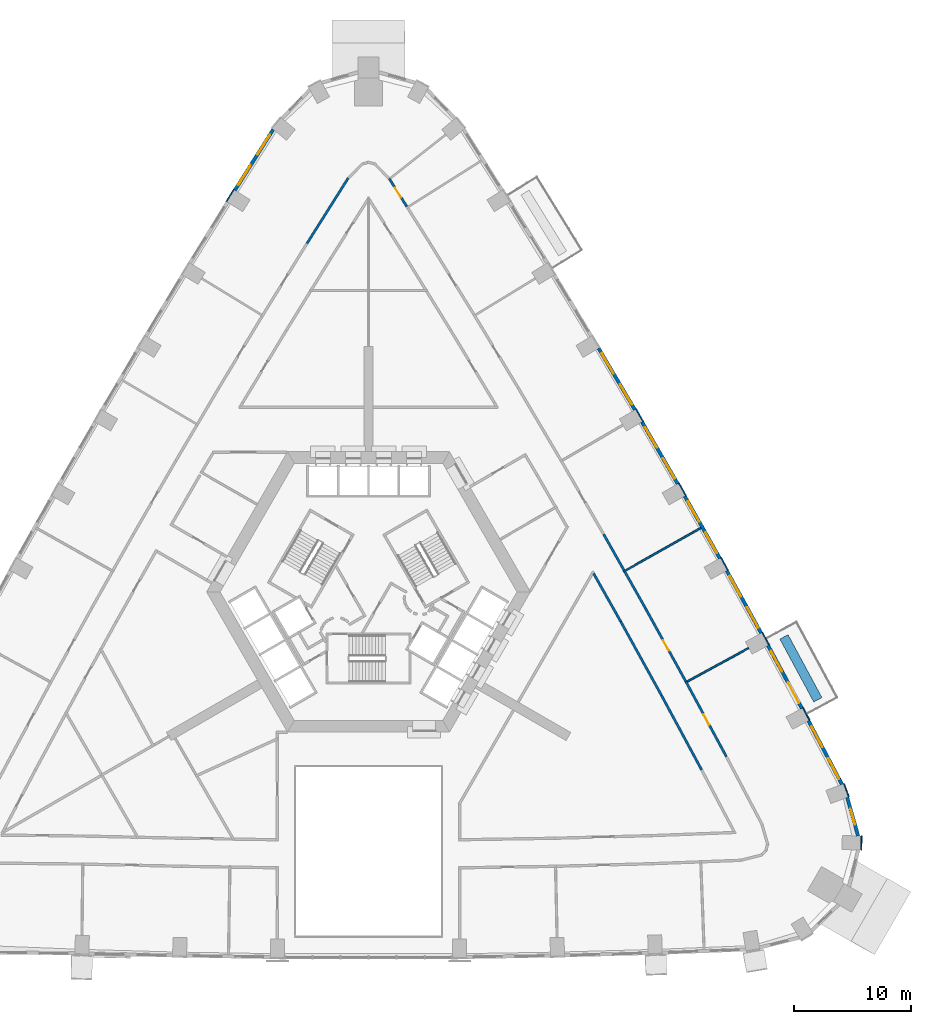
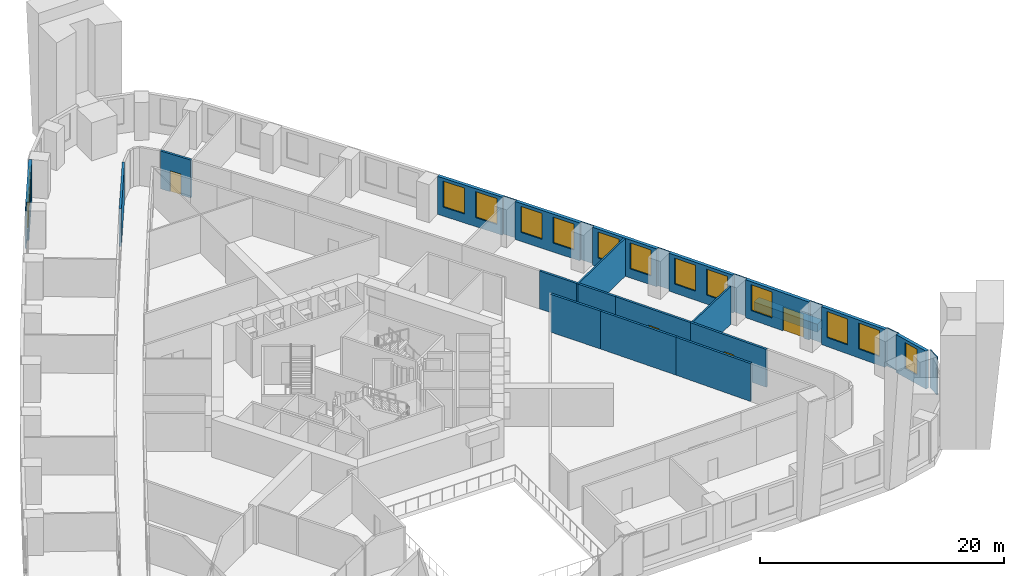
# One storey, part 11 of 16: 28 walls, 14 windows, 4 doors, 18 openings.
"""IFC4 building model written with IfcOpenShell, lengths in metres."""

import ifcopenshell
import ifcopenshell.guid

model = None  # the IFC model being written
_history = None  # IfcOwnerHistory: only IFC2X3 demands one
_inside = {}  # id of a spatial element -> (the spatial element, [elements in it])
_under = {}  # id of a project, library or spatial element -> (it, [spatial elements below it])
_declared = {}  # id of a project -> (the project, [libraries it declares])
_typed = {}  # id of a type object -> (the type object, [elements of that type])
_made_of = {}  # id of a material, layer set ... -> (it, [elements and type objects made of it])


def new_model(schema):
    """Start an empty IFC model of exactly this schema.

    Asked for "IFC4X3", IfcOpenShell would pick the latest addendum, in which some entities
    have other attributes; the version numbers below select the first issue.
    IFC2X3 requires an IfcOwnerHistory on every rooted entity: one is made here for all.
    """
    global model, _history
    if schema == "IFC4X3":
        model = ifcopenshell.file(schema_version=(4, 3, 0, 0))
    else:
        model = ifcopenshell.file(schema=schema)
    _inside.clear()
    _under.clear()
    _declared.clear()
    _typed.clear()
    _made_of.clear()
    _history = None
    if model.schema == "IFC2X3":
        org = make("IfcOrganization", Name="unknown")
        user = make(
            "IfcPersonAndOrganization",
            ThePerson=make("IfcPerson", FamilyName="unknown"),
            TheOrganization=org,
        )
        app = make(
            "IfcApplication",
            ApplicationDeveloper=org,
            Version="unknown",
            ApplicationFullName="unknown",
            ApplicationIdentifier="unknown",
        )
        _history = make(
            "IfcOwnerHistory",
            OwningUser=user,
            OwningApplication=app,
            ChangeAction="ADDED",
            CreationDate=0,
        )
    return model


def make(cls, **values):
    """One entity of the class cls with the attributes given. An attribute that is None is left unset."""
    return model.create_entity(
        cls, **{name: value for name, value in values.items() if value is not None}
    )


def rooted(cls, **values):
    """An entity with a GlobalId (a new one), such as an element, a storey or a relation."""
    return make(cls, GlobalId=ifcopenshell.guid.new(), OwnerHistory=_history, **values)


def si_unit(unit_type, name, prefix=None):
    """IfcSIUnit, for example si_unit("LENGTHUNIT", "METRE", prefix="MILLI")."""
    return make("IfcSIUnit", UnitType=unit_type, Prefix=prefix, Name=name)


def assignment(units):
    """IfcUnitAssignment: the units of a project."""
    return None if units is None else make("IfcUnitAssignment", Units=units)


def point(xyz):
    """IfcCartesianPoint."""
    return None if xyz is None else make("IfcCartesianPoint", Coordinates=xyz)


def direction(xyz):
    """IfcDirection."""
    return None if xyz is None else make("IfcDirection", DirectionRatios=xyz)


def frame(location, z_axis=None, x_axis=None):
    """IfcAxis2Placement3D, a coordinate frame: its origin and axes. An axis left out is left unset."""
    return make(
        "IfcAxis2Placement3D",
        Location=point(location),
        Axis=direction(z_axis),
        RefDirection=direction(x_axis),
    )


def frame_2d(location, x_axis=None):
    """IfcAxis2Placement2D, a coordinate frame in the plane: its origin and x axis."""
    return make(
        "IfcAxis2Placement2D", Location=point(location), RefDirection=direction(x_axis)
    )


def origin():
    """The frame at (0, 0, 0) with its axes left unset."""
    return frame((0.0, 0.0, 0.0))


def place(relative_to, where):
    """IfcLocalPlacement: puts the frame where relative to a parent placement (None: the world)."""
    return make(
        "IfcLocalPlacement", PlacementRelTo=relative_to, RelativePlacement=where
    )


def context(
    kind, dimensions, precision=None, world=None, true_north=None, identifier=None
):
    """IfcGeometricRepresentationContext, for example the 3D "Model" context."""
    return make(
        "IfcGeometricRepresentationContext",
        ContextIdentifier=identifier,
        ContextType=kind,
        CoordinateSpaceDimension=dimensions,
        Precision=precision,
        WorldCoordinateSystem=world,
        TrueNorth=true_north,
    )


def subcontext(parent, identifier, kind, view, scale=None):
    """IfcGeometricRepresentationSubContext, for example "Body" below "Model"."""
    return make(
        "IfcGeometricRepresentationSubContext",
        ContextIdentifier=identifier,
        ContextType=kind,
        ParentContext=parent,
        TargetScale=scale,
        TargetView=view,
    )


def project(units=None, contexts=None):
    """IfcProject with its units and contexts."""
    return rooted(
        "IfcProject",
        Name="project",
        RepresentationContexts=contexts,
        UnitsInContext=assignment(units),
    )


def spatial(cls, under=None, at=None, **own):
    """A site, building, storey or space (cls), placed at a placement, below another one or the project."""
    s = rooted(cls, ObjectPlacement=at, **own)
    if under is not None:
        _under.setdefault(under.id(), (under, []))[1].append(s)
    return s


def profile(cls, at=None, kind="AREA", **sizes):
    """A parametric profile (cls). Its sizes go by their IFC names, for example OverallWidth=200.0."""
    return make(cls, ProfileType=kind, Position=at, **sizes)


def rectangle(**sizes):
    """IfcRectangleProfileDef."""
    return profile("IfcRectangleProfileDef", **sizes)


def extrude(swept, where, along, depth):
    """IfcExtrudedAreaSolid: the profile swept, set in the frame where, extruded along a direction by depth."""
    return make(
        "IfcExtrudedAreaSolid",
        SweptArea=swept,
        Position=where,
        ExtrudedDirection=direction(along),
        Depth=depth,
    )


def shape(context_of_items, identifier, shape_type, items):
    """IfcShapeRepresentation: the items that make up one representation, for example the "Body"."""
    return make(
        "IfcShapeRepresentation",
        ContextOfItems=context_of_items,
        RepresentationIdentifier=identifier,
        RepresentationType=shape_type,
        Items=items,
    )


def material(Name=None, Category=None):
    """IfcMaterial."""
    return make("IfcMaterial", Name=Name, Category=Category)


def layer(
    of_material, thickness, ventilated=None, Name=None, Category=None, Priority=None
):
    """IfcMaterialLayer: one layer of a wall or slab, of a material (None: an air gap)."""
    return make(
        "IfcMaterialLayer",
        Material=of_material,
        LayerThickness=thickness,
        IsVentilated=ventilated,
        Name=Name,
        Category=Category,
        Priority=Priority,
    )


def layer_set(layers, Name=None):
    """IfcMaterialLayerSet."""
    return make("IfcMaterialLayerSet", MaterialLayers=layers, LayerSetName=Name)


def made_of(thing, what):
    """Note that an element or type object is made of a material, layer set ...; save() writes the relation."""
    if what is not None:
        _made_of.setdefault(what.id(), (what, []))[1].append(thing)
    return thing


def type_object(cls, material=None, **own):
    """A type object (cls), such as IfcWallType, which elements share."""
    return made_of(rooted(cls, **own), material)


def element(
    cls,
    number,
    at=None,
    inside=None,
    cuts=None,
    type_object=None,
    material=None,
    context=None,
    identifier="Body",
    shape_type=None,
    held_by="IfcProductDefinitionShape",
    body=None,
    shapes=None,
    **own,
):
    """One element of the class cls, such as IfcWall. Its Tag is "e" and its number.

    at: its placement. inside: the storey or other place that contains it. cuts: it is an
    opening in that element (IfcRelVoidsElement). A single representation is given by context,
    identifier, shape_type and body (its items); several are given by shapes. held_by: the class
    of the entity that holds the representations. save() writes the other relations.
    """
    e = rooted(cls, Tag="e%d" % number, ObjectPlacement=at, **own)
    if body is not None:
        shapes = [shape(context, identifier, shape_type, body)]
    if shapes is not None:
        e.Representation = make(held_by, Representations=shapes)
    if inside is not None:
        _inside.setdefault(inside.id(), (inside, []))[1].append(e)
    if cuts is not None:
        rooted(
            "IfcRelVoidsElement", RelatingBuildingElement=cuts, RelatedOpeningElement=e
        )
    if type_object is not None:
        _typed.setdefault(type_object.id(), (type_object, []))[1].append(e)
    return made_of(e, material)


def fill(opening, filler):
    """IfcRelFillsElement: the door or window that sits in an opening."""
    return rooted(
        "IfcRelFillsElement",
        RelatingOpeningElement=opening,
        RelatedBuildingElement=filler,
    )


def aggregate(whole, parts):
    """IfcRelAggregates: a whole, such as a stair, and the parts it consists of."""
    return rooted("IfcRelAggregates", RelatingObject=whole, RelatedObjects=parts)


def save(model, path):
    """Write the relations noted so far, then the file.

    IfcRelAggregates (storeys below a building ...), IfcRelContainedInSpatialStructure (elements
    in a storey), IfcRelDefinesByType, IfcRelAssociatesMaterial and IfcRelDeclares: one each for
    every whole, place, type object, material and project.
    """
    for whole, parts in _under.values():
        aggregate(whole, parts)
    for where, things in _inside.values():
        rooted(
            "IfcRelContainedInSpatialStructure",
            RelatedElements=things,
            RelatingStructure=where,
        )
    for kind, things in _typed.values():
        rooted("IfcRelDefinesByType", RelatedObjects=things, RelatingType=kind)
    for what, things in _made_of.values():
        rooted("IfcRelAssociatesMaterial", RelatedObjects=things, RelatingMaterial=what)
    for by, libraries in _declared.values():
        rooted("IfcRelDeclares", RelatingContext=by, RelatedDefinitions=libraries)
    model.write(path)


model = new_model("IFC4")

# Units and contexts
model_context = context("Model", 3, precision=1e-05, world=origin(), true_north=direction((0.0, 1.0)))
body_context = subcontext(model_context, "Body", "Model", "MODEL_VIEW")
ifc_project = project(units=[si_unit("LENGTHUNIT", "METRE"), si_unit("AREAUNIT", "SQUARE_METRE"), si_unit("VOLUMEUNIT", "CUBIC_METRE"), si_unit("PLANEANGLEUNIT", "RADIAN"), si_unit("MASSUNIT", "GRAM", prefix="KILO")], contexts=[model_context])

# Site, building, storey
site_placement = place(None, origin())
site = spatial("IfcSite", under=ifc_project, at=site_placement, CompositionType="ELEMENT")
building_placement = place(site_placement, origin())
building = spatial("IfcBuilding", under=site, at=building_placement, Name="Entoto Arch Interchange Tower", CompositionType="ELEMENT")
storey_placement = place(building_placement, frame((0.0, 0.0, 47.60009765625)))
storey = spatial("IfcBuildingStorey", under=building, at=storey_placement, Name="L09", CompositionType="ELEMENT", Elevation=47.60009765625)

# Walls
ifc_material_1 = material(Name="Gypsum board partition on steel studs", Category="steel")
ifc_layer_1 = layer(ifc_material_1, 0.14990234375)
ifc_layer_set_1 = layer_set([ifc_layer_1], Name="Gypsum board partition on steel studs")
wall_type_1 = type_object("IfcWallType", Name="PARTITION 150", PredefinedType="PARTITIONING", material=ifc_layer_set_1)
wall_1_placement = place(storey_placement, frame((27.26806640625, -5.1708984375, 0.0), z_axis=(0.0, 0.0, 1.0), x_axis=(0.877837854343, 0.478957932895, 0.0)))
element("IfcWall", 1, at=wall_1_placement, inside=storey, type_object=wall_type_1, Name="wall:L09:p134", PredefinedType="PARTITIONING", context=body_context, shape_type="SweptSolid", body=[
    extrude(rectangle(XDim=5.981689453125, YDim=0.14990234375, at=frame_2d((2.99072265625, 0.0))), origin(), (0.0, 0.0, 1.0), 3.7998046875),
])
wall_2_placement = place(storey_placement, frame((21.81298828125, 4.23095703125, 0.0), z_axis=(0.0, 0.0, 1.0), x_axis=(0.870901264369, 0.491458022337, 0.0)))
element("IfcWall", 2, at=wall_2_placement, inside=storey, type_object=wall_type_1, Name="wall:L09:p135", PredefinedType="PARTITIONING", context=body_context, shape_type="SweptSolid", body=[
    extrude(rectangle(XDim=7.60009765625, YDim=0.14990234375, at=frame_2d((3.800048828125, 0.0))), origin(), (0.0, 0.0, 1.0), 3.7998046875),
])
ifc_layer_2 = layer(ifc_material_1, 0.199951171875)
ifc_layer_set_2 = layer_set([ifc_layer_2], Name="Gypsum board partition on steel studs")
wall_type_2 = type_object("IfcWallType", Name="PARTITION 200", PredefinedType="PARTITIONING", material=ifc_layer_set_2)
wall_3_placement = place(storey_placement, frame((28.5009765625, -12.72412109375, 0.0), z_axis=(0.0, 0.0, 1.0), x_axis=(-0.474575559827, 0.880214768119, 0.0)))
element("IfcWall", 3, at=wall_3_placement, inside=storey, type_object=wall_type_2, Name="wall:L09:p022", PredefinedType="PARTITIONING", context=body_context, shape_type="SweptSolid", body=[
    extrude(rectangle(XDim=7.22119140625, YDim=0.199951171875, at=frame_2d((3.610595703125, 0.0))), origin(), (0.0, 0.0, 1.0), 3.7998046875),
])
wall_4_placement = place(storey_placement, frame((25.073974609375, -6.367919921875, 0.0), z_axis=(0.0, 0.0, 1.0), x_axis=(-0.483126495407, 0.875550563609, 0.0)))
element("IfcWall", 4, at=wall_4_placement, inside=storey, type_object=wall_type_2, Name="wall:L09:p023", PredefinedType="PARTITIONING", context=body_context, shape_type="SweptSolid", body=[
    extrude(rectangle(XDim=7.2216796875, YDim=0.199951171875, at=frame_2d((3.61083984375, 0.0))), origin(), (0.0, 0.0, 1.0), 3.7998046875),
])
wall_5_placement = place(storey_placement, frame((21.5849609375, -0.044921875, 0.0), z_axis=(0.0, 0.0, 1.0), x_axis=(-0.491542684896, 0.870853483042, 0.0)))
element("IfcWall", 5, at=wall_5_placement, inside=storey, type_object=wall_type_2, Name="wall:L09:p024", PredefinedType="PARTITIONING", context=body_context, shape_type="SweptSolid", body=[
    extrude(rectangle(XDim=4.73779296875, YDim=0.199951171875, at=frame_2d((2.368896484375, 0.0))), origin(), (0.0, 0.0, 1.0), 3.7998046875),
])

# Wall, opening, door
wall_6_placement = place(storey_placement, frame((27.14501953125, -5.152099609375, 0.0), z_axis=(0.0, 0.0, 1.0), x_axis=(0.474591029089, -0.880206427554, 0.0)))
wall_6 = element("IfcWall", 6, at=wall_6_placement, inside=storey, type_object=wall_type_2, Name="wall:L09:p040", PredefinedType="PARTITIONING", context=body_context, shape_type="SweptSolid", body=[
    extrude(rectangle(XDim=7.31982421875, YDim=0.199951171875, at=frame_2d((3.659912109375, 0.0))), origin(), (0.0, 0.0, 1.0), 3.7998046875),
])
opening_1_placement = place(wall_6_placement, frame((3.235107421875, 0.0, 0.0)))
opening_1 = element("IfcOpeningElement", 7, at=opening_1_placement, cuts=wall_6, Name="Opening L09-D03", PredefinedType="OPENING", context=body_context, shape_type="SweptSolid", body=[
    extrude(rectangle(XDim=1.0, YDim=2.10009765625, at=frame_2d((0.5, 1.050048828125))), frame((0.0, 0.10986328125, 0.0), z_axis=(0.0, -1.0, 0.0), x_axis=(1.0, 0.0, 0.0)), (0.0, 0.0, 1.0), 0.219970703125),
])
ifc_material_2 = material(Name="Timber door leaf in Steel S235 frame", Category="steel")
door_type_1 = type_object("IfcDoorType", Name="DOOR DS-10 1000x2100", OperationType="SINGLE_SWING_LEFT", PredefinedType="DOOR", material=ifc_material_2)
door_1_placement = place(opening_1_placement, origin())
door_1 = element("IfcDoor", 8, at=door_1_placement, inside=storey, type_object=door_type_1, Name="door:L09:03", OperationType="SINGLE_SWING_RIGHT", OverallHeight=2.10009765625, OverallWidth=1.0, PredefinedType="DOOR", context=body_context, shape_type="SweptSolid", body=[
    extrude(rectangle(XDim=1.0, YDim=2.10009765625, at=frame_2d((0.5, 1.050048828125))), frame((0.0, 0.02490234375, 0.0), z_axis=(0.0, -1.0, 0.0), x_axis=(1.0, 0.0, 0.0)), (0.0, 0.0, 1.0), 0.050048828125),
])
fill(opening_1, door_1)

# Wall
wall_7_placement = place(storey_placement, frame((21.93701171875, 4.214111328125, 0.0), z_axis=(0.0, 0.0, 1.0), x_axis=(0.491485799319, -0.870885588965, 0.0)))
element("IfcWall", 9, at=wall_7_placement, inside=storey, type_object=wall_type_2, Name="wall:L09:p047", PredefinedType="PARTITIONING", context=body_context, shape_type="SweptSolid", body=[
    extrude(rectangle(XDim=3.548095703125, YDim=0.199951171875, at=frame_2d((1.77392578125, 0.0))), origin(), (0.0, 0.0, 1.0), 3.7998046875),
])

# Wall, opening, door
wall_8_placement = place(storey_placement, frame((23.680908203125, 1.1240234375, 0.0), z_axis=(0.0, 0.0, 1.0), x_axis=(0.483125061868, -0.875551354631, 0.0)))
wall_8 = element("IfcWall", 10, at=wall_8_placement, inside=storey, type_object=wall_type_2, Name="wall:L09:p048", PredefinedType="PARTITIONING", context=body_context, shape_type="SweptSolid", body=[
    extrude(rectangle(XDim=7.168212890625, YDim=0.199951171875, at=frame_2d((3.583984375, 0.0))), origin(), (0.0, 0.0, 1.0), 3.7998046875),
])
opening_2_placement = place(wall_8_placement, frame((3.158935546875, 0.0, 0.0)))
opening_2 = element("IfcOpeningElement", 11, at=opening_2_placement, cuts=wall_8, Name="Opening L09-D04", PredefinedType="OPENING", context=body_context, shape_type="SweptSolid", body=[
    extrude(rectangle(XDim=1.0, YDim=2.10009765625, at=frame_2d((0.5, 1.050048828125))), frame((0.0, 0.10986328125, 0.0), z_axis=(0.0, -1.0, 0.0), x_axis=(1.0, 0.0, 0.0)), (0.0, 0.0, 1.0), 0.219970703125),
])
door_2_placement = place(opening_2_placement, origin())
door_2 = element("IfcDoor", 12, at=door_2_placement, inside=storey, type_object=door_type_1, Name="door:L09:04", OperationType="SINGLE_SWING_LEFT", OverallHeight=2.10009765625, OverallWidth=1.0, PredefinedType="DOOR", context=body_context, shape_type="SweptSolid", body=[
    extrude(rectangle(XDim=1.0, YDim=2.10009765625, at=frame_2d((0.5, 1.050048828125))), frame((0.0, 0.02490234375, 0.0), z_axis=(0.0, -1.0, 0.0), x_axis=(1.0, 0.0, 0.0)), (0.0, 0.0, 1.0), 0.050048828125),
])
fill(opening_2, door_2)

# Wall
wall_9_placement = place(storey_placement, frame((20.1201171875, 7.43408203125, 0.0), z_axis=(0.0, 0.0, 1.0), x_axis=(0.491394823876, -0.87093692485, 0.0)))
element("IfcWall", 13, at=wall_9_placement, inside=storey, type_object=wall_type_2, Name="wall:L09:p050", PredefinedType="PARTITIONING", context=body_context, shape_type="SweptSolid", body=[
    extrude(rectangle(XDim=3.546875, YDim=0.199951171875, at=frame_2d((1.7734375, 0.0))), origin(), (0.0, 0.0, 1.0), 3.7998046875),
])

# Wall, opening, door
wall_10_placement = place(storey_placement, frame((1.77490234375, 37.85595703125, 0.0), z_axis=(0.0, 0.0, 1.0), x_axis=(0.533221537001, -0.845975645322, 0.0)))
wall_10 = element("IfcWall", 14, at=wall_10_placement, inside=storey, type_object=wall_type_2, Name="wall:L09:p055", PredefinedType="PARTITIONING", context=body_context, shape_type="SweptSolid", body=[
    extrude(rectangle(XDim=2.82275390625, YDim=0.199951171875, at=frame_2d((1.411376953125, 0.0))), origin(), (0.0, 0.0, 1.0), 3.7998046875),
])
opening_3_placement = place(wall_10_placement, frame((0.910888671875, 0.0, 0.0)))
opening_3 = element("IfcOpeningElement", 15, at=opening_3_placement, cuts=wall_10, Name="Opening L09-D08", PredefinedType="OPENING", context=body_context, shape_type="SweptSolid", body=[
    extrude(rectangle(XDim=1.0, YDim=2.10009765625, at=frame_2d((0.5, 1.050048828125))), frame((0.0, 0.10986328125, 0.0), z_axis=(0.0, -1.0, 0.0), x_axis=(1.0, 0.0, 0.0)), (0.0, 0.0, 1.0), 0.219970703125),
])
door_3_placement = place(opening_3_placement, origin())
door_3 = element("IfcDoor", 16, at=door_3_placement, inside=storey, type_object=door_type_1, Name="door:L09:08", OperationType="SINGLE_SWING_LEFT", OverallHeight=2.10009765625, OverallWidth=1.0, PredefinedType="DOOR", context=body_context, shape_type="SweptSolid", body=[
    extrude(rectangle(XDim=1.0, YDim=2.10009765625, at=frame_2d((0.5, 1.050048828125))), frame((0.0, 0.02490234375, 0.0), z_axis=(0.0, -1.0, 0.0), x_axis=(1.0, 0.0, 0.0)), (0.0, 0.0, 1.0), 0.050048828125),
])
fill(opening_3, door_3)

# Walls
wall_11_placement = place(storey_placement, frame((-5.26708984375, 32.31494140625, 0.0), z_axis=(0.0, 0.0, 1.0), x_axis=(0.533195424135, 0.845992103794, 0.0)))
element("IfcWall", 17, at=wall_11_placement, inside=storey, type_object=wall_type_2, Name="wall:L09:p057", PredefinedType="PARTITIONING", context=body_context, shape_type="SweptSolid", body=[
    extrude(rectangle(XDim=6.624267578125, YDim=0.199951171875, at=frame_2d((3.31201171875, 0.0))), origin(), (0.0, 0.0, 1.0), 3.7998046875),
])
ifc_material_3 = material(Name="Board-marked precast concrete C50/60", Category="concrete")
ifc_layer_3 = layer(ifc_material_3, 0.800048828125)
ifc_layer_set_3 = layer_set([ifc_layer_3], Name="Board-marked precast concrete C50/60")
wall_type_3 = type_object("IfcWallType", Name="PLANTER RC 800 Vachellia abyssinica", PredefinedType="STANDARD", material=ifc_layer_set_3)
wall_12_placement = place(storey_placement, frame((38.449951171875, -6.73388671875, 0.0), z_axis=(0.0, 0.0, 1.0), x_axis=(-0.474651603139, 0.880173764456, 0.0)))
element("IfcWall", 18, at=wall_12_placement, inside=storey, type_object=wall_type_3, Name="Planter NE-02 L09", PredefinedType="STANDARD", context=body_context, shape_type="SweptSolid", body=[
    extrude(rectangle(XDim=6.120361328125, YDim=0.800048828125, at=frame_2d((3.06005859375, 0.0))), origin(), (0.0, 0.0, 1.0), 0.7998046875),
])

# Wall, opening, window
ifc_material_4 = material(Name="Welded tuff (ignimbrite) cladding, warm buff", Category="masonry")
ifc_layer_4 = layer(ifc_material_4, 0.300048828125)
ifc_layer_set_4 = layer_set([ifc_layer_4], Name="Welded tuff (ignimbrite) cladding, warm buff")
wall_type_4 = type_object("IfcWallType", Name="STONE INFILL WALL 300", PredefinedType="STANDARD", material=ifc_layer_set_4)
wall_13_placement = place(storey_placement, frame((41.89794921875, -18.37890625, 0.0), z_axis=(0.0, 0.0, 1.0), x_axis=(-0.272901963142, 0.962041848629, 0.0)))
wall_13 = element("IfcWall", 19, at=wall_13_placement, inside=storey, type_object=wall_type_4, Name="Facade wall SE-04 L09", PredefinedType="STANDARD", context=body_context, shape_type="SweptSolid", body=[
    extrude(rectangle(XDim=3.421875, YDim=0.300048828125, at=frame_2d((1.7109375, 0.0))), origin(), (0.0, 0.0, 1.0), 3.7998046875),
])
opening_4_placement = place(wall_13_placement, frame((1.010986328125, 0.0, 0.89990234375)))
opening_4 = element("IfcOpeningElement", 20, at=opening_4_placement, cuts=wall_13, Name="Opening WO-B", PredefinedType="OPENING", context=body_context, shape_type="SweptSolid", body=[
    extrude(rectangle(XDim=1.39990234375, YDim=2.60009765625, at=frame_2d((0.699951171875, 1.300048828125))), frame((0.0, 0.16015625, 0.0), z_axis=(0.0, -1.0, 0.0), x_axis=(1.0, 0.0, 0.0)), (0.0, 0.0, 1.0), 0.320068359375),
])
ifc_material_5 = material(Name="Clear glass, low-e double glazed", Category="glass")
window_type_1 = type_object("IfcWindowType", Name="WINDOW WO-B 1400x2600", PartitioningType="DOUBLE_PANEL_VERTICAL", PredefinedType="WINDOW", material=ifc_material_5)
window_1_placement = place(opening_4_placement, origin())
window_1 = element("IfcWindow", 21, at=window_1_placement, inside=storey, type_object=window_type_1, Name="Window WO-B SE-04 L09", OverallHeight=2.60009765625, OverallWidth=1.39990234375, PartitioningType="SINGLE_PANEL", PredefinedType="WINDOW", context=body_context, shape_type="SweptSolid", body=[
    extrude(rectangle(XDim=1.39990234375, YDim=2.60009765625, at=frame_2d((0.699951171875, 1.300048828125))), frame((0.0, 0.030029296875, 0.0), z_axis=(0.0, -1.0, 0.0), x_axis=(1.0, 0.0, 0.0)), (0.0, 0.0, 1.0), 0.06005859375),
])
fill(opening_4, window_1)

# Wall, openings, windows
wall_14_placement = place(storey_placement, frame((40.51806640625, -13.97509765625, 0.0), z_axis=(0.0, 0.0, 1.0), x_axis=(-0.465847756605, 0.884864886673, 0.0)))
wall_14 = element("IfcWall", 22, at=wall_14_placement, inside=storey, type_object=wall_type_4, Name="Facade wall NE-01 L09", PredefinedType="STANDARD", context=body_context, shape_type="SweptSolid", body=[
    extrude(rectangle(XDim=6.156982421875, YDim=0.300048828125, at=frame_2d((3.07861328125, 0.0))), origin(), (0.0, 0.0, 1.0), 3.7998046875),
])
opening_5_placement = place(wall_14_placement, frame((0.5390625, 0.0, 0.89990234375)))
opening_5 = element("IfcOpeningElement", 23, at=opening_5_placement, cuts=wall_14, Name="Opening WO-C", PredefinedType="OPENING", context=body_context, shape_type="SweptSolid", body=[
    extrude(rectangle(XDim=2.0, YDim=2.60009765625, at=frame_2d((1.0, 1.300048828125))), frame((0.0, 0.16015625, 0.0), z_axis=(0.0, -1.0, 0.0), x_axis=(1.0, 0.0, 0.0)), (0.0, 0.0, 1.0), 0.320068359375),
])
opening_6_placement = place(wall_14_placement, frame((3.617919921875, 0.0, 0.89990234375)))
opening_6 = element("IfcOpeningElement", 24, at=opening_6_placement, cuts=wall_14, Name="Opening WO-C", PredefinedType="OPENING", context=body_context, shape_type="SweptSolid", body=[
    extrude(rectangle(XDim=2.0, YDim=2.60009765625, at=frame_2d((1.0, 1.300048828125))), frame((0.0, 0.16015625, 0.0), z_axis=(0.0, -1.0, 0.0), x_axis=(1.0, 0.0, 0.0)), (0.0, 0.0, 1.0), 0.320068359375),
])
window_type_2 = type_object("IfcWindowType", Name="WINDOW WO-C 2000x2600", PartitioningType="DOUBLE_PANEL_VERTICAL", PredefinedType="WINDOW", material=ifc_material_5)
window_2_placement = place(opening_5_placement, origin())
window_2 = element("IfcWindow", 25, at=window_2_placement, inside=storey, type_object=window_type_2, Name="Window WO-C NE-01 L09", OverallHeight=2.60009765625, OverallWidth=2.0, PartitioningType="SINGLE_PANEL", PredefinedType="WINDOW", context=body_context, shape_type="SweptSolid", body=[
    extrude(rectangle(XDim=2.0, YDim=2.60009765625, at=frame_2d((1.0, 1.300048828125))), frame((0.0, 0.030029296875, 0.0), z_axis=(0.0, -1.0, 0.0), x_axis=(1.0, 0.0, 0.0)), (0.0, 0.0, 1.0), 0.06005859375),
])
fill(opening_5, window_2)
window_3_placement = place(opening_6_placement, origin())
window_3 = element("IfcWindow", 26, at=window_3_placement, inside=storey, type_object=window_type_2, Name="Window WO-C NE-01 L09", OverallHeight=2.60009765625, OverallWidth=2.0, PartitioningType="SINGLE_PANEL", PredefinedType="WINDOW", context=body_context, shape_type="SweptSolid", body=[
    extrude(rectangle(XDim=2.0, YDim=2.60009765625, at=frame_2d((1.0, 1.300048828125))), frame((0.0, 0.030029296875, 0.0), z_axis=(0.0, -1.0, 0.0), x_axis=(1.0, 0.0, 0.0)), (0.0, 0.0, 1.0), 0.06005859375),
])
fill(opening_6, window_3)

# Wall, openings, door, window
wall_15_placement = place(storey_placement, frame((37.0859375, -7.469970703125, 0.0), z_axis=(0.0, 0.0, 1.0), x_axis=(-0.474584950749, 0.880209704856, 0.0)))
wall_15 = element("IfcWall", 27, at=wall_15_placement, inside=storey, type_object=wall_type_4, Name="Facade wall NE-02 L09", PredefinedType="STANDARD", context=body_context, shape_type="SweptSolid", body=[
    extrude(rectangle(XDim=6.12109375, YDim=0.300048828125, at=frame_2d((3.060546875, 0.0))), origin(), (0.0, 0.0, 1.0), 3.7998046875),
])
opening_7_placement = place(wall_15_placement, frame((0.530029296875, 0.0, 0.0)))
opening_7 = element("IfcOpeningElement", 28, at=opening_7_placement, cuts=wall_15, Name="Opening DB-NE-02-L09", PredefinedType="OPENING", context=body_context, shape_type="SweptSolid", body=[
    extrude(rectangle(XDim=2.0, YDim=2.39990234375, at=frame_2d((1.0, 1.199951171875))), frame((0.0, 0.16015625, 0.0), z_axis=(0.0, -1.0, 0.0), x_axis=(1.0, 0.0, 0.0)), (0.0, 0.0, 1.0), 0.320068359375),
])
opening_8_placement = place(wall_15_placement, frame((3.591064453125, 0.0, 0.89990234375)))
opening_8 = element("IfcOpeningElement", 29, at=opening_8_placement, cuts=wall_15, Name="Opening WO-C", PredefinedType="OPENING", context=body_context, shape_type="SweptSolid", body=[
    extrude(rectangle(XDim=2.0, YDim=2.60009765625, at=frame_2d((1.0, 1.300048828125))), frame((0.0, 0.16015625, 0.0), z_axis=(0.0, -1.0, 0.0), x_axis=(1.0, 0.0, 0.0)), (0.0, 0.0, 1.0), 0.320068359375),
])
ifc_material_6 = material(Name="Aluminium and clear glass, anodised", Category="aluminium")
door_type_2 = type_object("IfcDoorType", Name="BALCONY DOOR DB 2000x2400", OperationType="SLIDING_TO_LEFT", PredefinedType="DOOR", material=ifc_material_6)
door_4_placement = place(opening_7_placement, origin())
door_4 = element("IfcDoor", 30, at=door_4_placement, inside=storey, type_object=door_type_2, Name="Balcony door NE-02 L09", OperationType="SLIDING_TO_LEFT", OverallHeight=2.39990234375, OverallWidth=2.0, PredefinedType="DOOR", context=body_context, shape_type="SweptSolid", body=[
    extrude(rectangle(XDim=2.0, YDim=2.39990234375, at=frame_2d((1.0, 1.199951171875))), frame((0.0, 0.02490234375, 0.0), z_axis=(0.0, -1.0, 0.0), x_axis=(1.0, 0.0, 0.0)), (0.0, 0.0, 1.0), 0.050048828125),
])
fill(opening_7, door_4)
window_4_placement = place(opening_8_placement, origin())
window_4 = element("IfcWindow", 31, at=window_4_placement, inside=storey, type_object=window_type_2, Name="Window WO-C NE-02 L09", OverallHeight=2.60009765625, OverallWidth=2.0, PartitioningType="SINGLE_PANEL", PredefinedType="WINDOW", context=body_context, shape_type="SweptSolid", body=[
    extrude(rectangle(XDim=2.0, YDim=2.60009765625, at=frame_2d((1.0, 1.300048828125))), frame((0.0, 0.030029296875, 0.0), z_axis=(0.0, -1.0, 0.0), x_axis=(1.0, 0.0, 0.0)), (0.0, 0.0, 1.0), 0.06005859375),
])
fill(opening_8, window_4)

# Wall, openings, windows
wall_16_placement = place(storey_placement, frame((33.60693359375, -1.030029296875, 0.0), z_axis=(0.0, 0.0, 1.0), x_axis=(-0.483195456594, 0.875512507465, 0.0)))
wall_16 = element("IfcWall", 32, at=wall_16_placement, inside=storey, type_object=wall_type_4, Name="Facade wall NE-03 L09", PredefinedType="STANDARD", context=body_context, shape_type="SweptSolid", body=[
    extrude(rectangle(XDim=6.11962890625, YDim=0.300048828125, at=frame_2d((3.059814453125, 0.0))), origin(), (0.0, 0.0, 1.0), 3.7998046875),
])
opening_9_placement = place(wall_16_placement, frame((0.530029296875, 0.0, 0.89990234375)))
opening_9 = element("IfcOpeningElement", 33, at=opening_9_placement, cuts=wall_16, Name="Opening WO-C", PredefinedType="OPENING", context=body_context, shape_type="SweptSolid", body=[
    extrude(rectangle(XDim=2.0, YDim=2.60009765625, at=frame_2d((1.0, 1.300048828125))), frame((0.0, 0.16015625, 0.0), z_axis=(0.0, -1.0, 0.0), x_axis=(1.0, 0.0, 0.0)), (0.0, 0.0, 1.0), 0.320068359375),
])
opening_10_placement = place(wall_16_placement, frame((3.590087890625, 0.0, 0.89990234375)))
opening_10 = element("IfcOpeningElement", 34, at=opening_10_placement, cuts=wall_16, Name="Opening WO-C", PredefinedType="OPENING", context=body_context, shape_type="SweptSolid", body=[
    extrude(rectangle(XDim=2.0, YDim=2.60009765625, at=frame_2d((1.0, 1.300048828125))), frame((0.0, 0.16015625, 0.0), z_axis=(0.0, -1.0, 0.0), x_axis=(1.0, 0.0, 0.0)), (0.0, 0.0, 1.0), 0.320068359375),
])
window_5_placement = place(opening_9_placement, origin())
window_5 = element("IfcWindow", 35, at=window_5_placement, inside=storey, type_object=window_type_2, Name="Window WO-C NE-03 L09", OverallHeight=2.60009765625, OverallWidth=2.0, PartitioningType="SINGLE_PANEL", PredefinedType="WINDOW", context=body_context, shape_type="SweptSolid", body=[
    extrude(rectangle(XDim=2.0, YDim=2.60009765625, at=frame_2d((1.0, 1.300048828125))), frame((0.0, 0.030029296875, 0.0), z_axis=(0.0, -1.0, 0.0), x_axis=(1.0, 0.0, 0.0)), (0.0, 0.0, 1.0), 0.06005859375),
])
fill(opening_9, window_5)
window_6_placement = place(opening_10_placement, origin())
window_6 = element("IfcWindow", 36, at=window_6_placement, inside=storey, type_object=window_type_2, Name="Window WO-C NE-03 L09", OverallHeight=2.60009765625, OverallWidth=2.0, PartitioningType="SINGLE_PANEL", PredefinedType="WINDOW", context=body_context, shape_type="SweptSolid", body=[
    extrude(rectangle(XDim=2.0, YDim=2.60009765625, at=frame_2d((1.0, 1.300048828125))), frame((0.0, 0.030029296875, 0.0), z_axis=(0.0, -1.0, 0.0), x_axis=(1.0, 0.0, 0.0)), (0.0, 0.0, 1.0), 0.06005859375),
])
fill(opening_10, window_6)

wall_17_placement = place(storey_placement, frame((30.06689453125, 5.3740234375, 0.0), z_axis=(0.0, 0.0, 1.0), x_axis=(-0.49151046248, 0.870871669807, 0.0)))
wall_17 = element("IfcWall", 37, at=wall_17_placement, inside=storey, type_object=wall_type_4, Name="Facade wall NE-04 L09", PredefinedType="STANDARD", context=body_context, shape_type="SweptSolid", body=[
    extrude(rectangle(XDim=6.12158203125, YDim=0.300048828125, at=frame_2d((3.060791015625, 0.0))), origin(), (0.0, 0.0, 1.0), 3.7998046875),
])
opening_11_placement = place(wall_17_placement, frame((0.530029296875, 0.0, 0.89990234375)))
opening_11 = element("IfcOpeningElement", 38, at=opening_11_placement, cuts=wall_17, Name="Opening WO-C", PredefinedType="OPENING", context=body_context, shape_type="SweptSolid", body=[
    extrude(rectangle(XDim=2.0, YDim=2.60009765625, at=frame_2d((1.0, 1.300048828125))), frame((0.0, 0.16015625, 0.0), z_axis=(0.0, -1.0, 0.0), x_axis=(1.0, 0.0, 0.0)), (0.0, 0.0, 1.0), 0.320068359375),
])
opening_12_placement = place(wall_17_placement, frame((3.591064453125, 0.0, 0.89990234375)))
opening_12 = element("IfcOpeningElement", 39, at=opening_12_placement, cuts=wall_17, Name="Opening WO-C", PredefinedType="OPENING", context=body_context, shape_type="SweptSolid", body=[
    extrude(rectangle(XDim=2.0, YDim=2.60009765625, at=frame_2d((1.0, 1.300048828125))), frame((0.0, 0.16015625, 0.0), z_axis=(0.0, -1.0, 0.0), x_axis=(1.0, 0.0, 0.0)), (0.0, 0.0, 1.0), 0.320068359375),
])
window_7_placement = place(opening_11_placement, origin())
window_7 = element("IfcWindow", 40, at=window_7_placement, inside=storey, type_object=window_type_2, Name="Window WO-C NE-04 L09", OverallHeight=2.60009765625, OverallWidth=2.0, PartitioningType="SINGLE_PANEL", PredefinedType="WINDOW", context=body_context, shape_type="SweptSolid", body=[
    extrude(rectangle(XDim=2.0, YDim=2.60009765625, at=frame_2d((1.0, 1.300048828125))), frame((0.0, 0.030029296875, 0.0), z_axis=(0.0, -1.0, 0.0), x_axis=(1.0, 0.0, 0.0)), (0.0, 0.0, 1.0), 0.06005859375),
])
fill(opening_11, window_7)
window_8_placement = place(opening_12_placement, origin())
window_8 = element("IfcWindow", 41, at=window_8_placement, inside=storey, type_object=window_type_2, Name="Window WO-C NE-04 L09", OverallHeight=2.60009765625, OverallWidth=2.0, PartitioningType="SINGLE_PANEL", PredefinedType="WINDOW", context=body_context, shape_type="SweptSolid", body=[
    extrude(rectangle(XDim=2.0, YDim=2.60009765625, at=frame_2d((1.0, 1.300048828125))), frame((0.0, 0.030029296875, 0.0), z_axis=(0.0, -1.0, 0.0), x_axis=(1.0, 0.0, 0.0)), (0.0, 0.0, 1.0), 0.06005859375),
])
fill(opening_12, window_8)

wall_18_placement = place(storey_placement, frame((26.464111328125, 11.7451171875, 0.0), z_axis=(0.0, 0.0, 1.0), x_axis=(-0.499957248001, 0.866050085256, 0.0)))
wall_18 = element("IfcWall", 42, at=wall_18_placement, inside=storey, type_object=wall_type_4, Name="Facade wall NE-05 L09", PredefinedType="STANDARD", context=body_context, shape_type="SweptSolid", body=[
    extrude(rectangle(XDim=6.12060546875, YDim=0.300048828125, at=frame_2d((3.060302734375, 0.0))), origin(), (0.0, 0.0, 1.0), 3.7998046875),
])
opening_13_placement = place(wall_18_placement, frame((0.530029296875, 0.0, 0.89990234375)))
opening_13 = element("IfcOpeningElement", 43, at=opening_13_placement, cuts=wall_18, Name="Opening WO-C", PredefinedType="OPENING", context=body_context, shape_type="SweptSolid", body=[
    extrude(rectangle(XDim=2.0, YDim=2.60009765625, at=frame_2d((1.0, 1.300048828125))), frame((0.0, 0.16015625, 0.0), z_axis=(0.0, -1.0, 0.0), x_axis=(1.0, 0.0, 0.0)), (0.0, 0.0, 1.0), 0.320068359375),
])
opening_14_placement = place(wall_18_placement, frame((3.591064453125, 0.0, 0.89990234375)))
opening_14 = element("IfcOpeningElement", 44, at=opening_14_placement, cuts=wall_18, Name="Opening WO-C", PredefinedType="OPENING", context=body_context, shape_type="SweptSolid", body=[
    extrude(rectangle(XDim=2.0, YDim=2.60009765625, at=frame_2d((1.0, 1.300048828125))), frame((0.0, 0.16015625, 0.0), z_axis=(0.0, -1.0, 0.0), x_axis=(1.0, 0.0, 0.0)), (0.0, 0.0, 1.0), 0.320068359375),
])
window_9_placement = place(opening_13_placement, origin())
window_9 = element("IfcWindow", 45, at=window_9_placement, inside=storey, type_object=window_type_2, Name="Window WO-C NE-05 L09", OverallHeight=2.60009765625, OverallWidth=2.0, PartitioningType="SINGLE_PANEL", PredefinedType="WINDOW", context=body_context, shape_type="SweptSolid", body=[
    extrude(rectangle(XDim=2.0, YDim=2.60009765625, at=frame_2d((1.0, 1.300048828125))), frame((0.0, 0.030029296875, 0.0), z_axis=(0.0, -1.0, 0.0), x_axis=(1.0, 0.0, 0.0)), (0.0, 0.0, 1.0), 0.06005859375),
])
fill(opening_13, window_9)
window_10_placement = place(opening_14_placement, origin())
window_10 = element("IfcWindow", 46, at=window_10_placement, inside=storey, type_object=window_type_2, Name="Window WO-C NE-05 L09", OverallHeight=2.60009765625, OverallWidth=2.0, PartitioningType="SINGLE_PANEL", PredefinedType="WINDOW", context=body_context, shape_type="SweptSolid", body=[
    extrude(rectangle(XDim=2.0, YDim=2.60009765625, at=frame_2d((1.0, 1.300048828125))), frame((0.0, 0.030029296875, 0.0), z_axis=(0.0, -1.0, 0.0), x_axis=(1.0, 0.0, 0.0)), (0.0, 0.0, 1.0), 0.06005859375),
])
fill(opening_14, window_10)

wall_19_placement = place(storey_placement, frame((22.800048828125, 18.080078125, 0.0), z_axis=(0.0, 0.0, 1.0), x_axis=(-0.508412153373, 0.861113861404, 0.0)))
wall_19 = element("IfcWall", 47, at=wall_19_placement, inside=storey, type_object=wall_type_4, Name="Facade wall NE-06 L09", PredefinedType="STANDARD", context=body_context, shape_type="SweptSolid", body=[
    extrude(rectangle(XDim=6.12109375, YDim=0.300048828125, at=frame_2d((3.060546875, 0.0))), origin(), (0.0, 0.0, 1.0), 3.7998046875),
])
opening_15_placement = place(wall_19_placement, frame((0.530029296875, 0.0, 0.89990234375)))
opening_15 = element("IfcOpeningElement", 48, at=opening_15_placement, cuts=wall_19, Name="Opening WO-C", PredefinedType="OPENING", context=body_context, shape_type="SweptSolid", body=[
    extrude(rectangle(XDim=2.0, YDim=2.60009765625, at=frame_2d((1.0, 1.300048828125))), frame((0.0, 0.16015625, 0.0), z_axis=(0.0, -1.0, 0.0), x_axis=(1.0, 0.0, 0.0)), (0.0, 0.0, 1.0), 0.320068359375),
])
opening_16_placement = place(wall_19_placement, frame((3.591064453125, 0.0, 0.89990234375)))
opening_16 = element("IfcOpeningElement", 49, at=opening_16_placement, cuts=wall_19, Name="Opening WO-C", PredefinedType="OPENING", context=body_context, shape_type="SweptSolid", body=[
    extrude(rectangle(XDim=2.0, YDim=2.60009765625, at=frame_2d((1.0, 1.300048828125))), frame((0.0, 0.16015625, 0.0), z_axis=(0.0, -1.0, 0.0), x_axis=(1.0, 0.0, 0.0)), (0.0, 0.0, 1.0), 0.320068359375),
])
window_11_placement = place(opening_15_placement, origin())
window_11 = element("IfcWindow", 50, at=window_11_placement, inside=storey, type_object=window_type_2, Name="Window WO-C NE-06 L09", OverallHeight=2.60009765625, OverallWidth=2.0, PartitioningType="SINGLE_PANEL", PredefinedType="WINDOW", context=body_context, shape_type="SweptSolid", body=[
    extrude(rectangle(XDim=2.0, YDim=2.60009765625, at=frame_2d((1.0, 1.300048828125))), frame((0.0, 0.030029296875, 0.0), z_axis=(0.0, -1.0, 0.0), x_axis=(1.0, 0.0, 0.0)), (0.0, 0.0, 1.0), 0.06005859375),
])
fill(opening_15, window_11)
window_12_placement = place(opening_16_placement, origin())
window_12 = element("IfcWindow", 51, at=window_12_placement, inside=storey, type_object=window_type_2, Name="Window WO-C NE-06 L09", OverallHeight=2.60009765625, OverallWidth=2.0, PartitioningType="SINGLE_PANEL", PredefinedType="WINDOW", context=body_context, shape_type="SweptSolid", body=[
    extrude(rectangle(XDim=2.0, YDim=2.60009765625, at=frame_2d((1.0, 1.300048828125))), frame((0.0, 0.030029296875, 0.0), z_axis=(0.0, -1.0, 0.0), x_axis=(1.0, 0.0, 0.0)), (0.0, 0.0, 1.0), 0.06005859375),
])
fill(opening_16, window_12)

wall_20_placement = place(storey_placement, frame((-8.156982421875, 42.077880859375, 0.0), z_axis=(0.0, 0.0, 1.0), x_axis=(-0.533075127321, -0.846067910177, 0.0)))
wall_20 = element("IfcWall", 52, at=wall_20_placement, inside=storey, type_object=wall_type_4, Name="Facade wall NW-01 L09", PredefinedType="STANDARD", context=body_context, shape_type="SweptSolid", body=[
    extrude(rectangle(XDim=6.15673828125, YDim=0.300048828125, at=frame_2d((3.078369140625, 0.0))), origin(), (0.0, 0.0, 1.0), 3.7998046875),
])
opening_17_placement = place(wall_20_placement, frame((0.5390625, 0.0, 0.89990234375)))
opening_17 = element("IfcOpeningElement", 53, at=opening_17_placement, cuts=wall_20, Name="Opening WO-C", PredefinedType="OPENING", context=body_context, shape_type="SweptSolid", body=[
    extrude(rectangle(XDim=2.0, YDim=2.60009765625, at=frame_2d((1.0, 1.300048828125))), frame((0.0, 0.16015625, 0.0), z_axis=(0.0, -1.0, 0.0), x_axis=(1.0, 0.0, 0.0)), (0.0, 0.0, 1.0), 0.320068359375),
])
opening_18_placement = place(wall_20_placement, frame((3.617919921875, 0.0, 0.89990234375)))
opening_18 = element("IfcOpeningElement", 54, at=opening_18_placement, cuts=wall_20, Name="Opening WO-C", PredefinedType="OPENING", context=body_context, shape_type="SweptSolid", body=[
    extrude(rectangle(XDim=2.0, YDim=2.60009765625, at=frame_2d((1.0, 1.300048828125))), frame((0.0, 0.16015625, 0.0), z_axis=(0.0, -1.0, 0.0), x_axis=(1.0, 0.0, 0.0)), (0.0, 0.0, 1.0), 0.320068359375),
])
window_13_placement = place(opening_17_placement, origin())
window_13 = element("IfcWindow", 55, at=window_13_placement, inside=storey, type_object=window_type_2, Name="Window WO-C NW-01 L09", OverallHeight=2.60009765625, OverallWidth=2.0, PartitioningType="SINGLE_PANEL", PredefinedType="WINDOW", context=body_context, shape_type="SweptSolid", body=[
    extrude(rectangle(XDim=2.0, YDim=2.60009765625, at=frame_2d((1.0, 1.300048828125))), frame((0.0, 0.030029296875, 0.0), z_axis=(0.0, -1.0, 0.0), x_axis=(1.0, 0.0, 0.0)), (0.0, 0.0, 1.0), 0.06005859375),
])
fill(opening_17, window_13)
window_14_placement = place(opening_18_placement, origin())
window_14 = element("IfcWindow", 56, at=window_14_placement, inside=storey, type_object=window_type_2, Name="Window WO-C NW-01 L09", OverallHeight=2.60009765625, OverallWidth=2.0, PartitioningType="SINGLE_PANEL", PredefinedType="WINDOW", context=body_context, shape_type="SweptSolid", body=[
    extrude(rectangle(XDim=2.0, YDim=2.60009765625, at=frame_2d((1.0, 1.300048828125))), frame((0.0, 0.030029296875, 0.0), z_axis=(0.0, -1.0, 0.0), x_axis=(1.0, 0.0, 0.0)), (0.0, 0.0, 1.0), 0.06005859375),
])
fill(opening_18, window_14)

# Walls
ifc_layer_5 = layer(ifc_material_4, 0.10009765625)
ifc_layer_set_5 = layer_set([ifc_layer_5], Name="Welded tuff (ignimbrite) cladding, warm buff")
wall_type_5 = type_object("IfcWallType", Name="STONE PIER CLADDING 100", PredefinedType="STANDARD", material=ifc_layer_set_5)
wall_21_placement = place(storey_placement, frame((41.10302734375, -15.037109375, 0.0), z_axis=(0.0, 0.0, 1.0), x_axis=(-0.348268249601, 0.937394914814, 0.0)))
element("IfcWall", 57, at=wall_21_placement, inside=storey, type_object=wall_type_5, Name="Stone pier NE01 L09", PredefinedType="STANDARD", context=body_context, shape_type="SweptSolid", body=[
    extrude(rectangle(XDim=1.2001953125, YDim=0.10009765625, at=frame_2d((0.60009765625, 0.0))), origin(), (0.0, 0.0, 1.0), 3.7998046875),
])
wall_22_placement = place(storey_placement, frame((37.739990234375, -8.47998046875, 0.0), z_axis=(0.0, 0.0, 1.0), x_axis=(-0.469383408131, 0.882994459876, 0.0)))
element("IfcWall", 58, at=wall_22_placement, inside=storey, type_object=wall_type_5, Name="Stone pier NE02 L09", PredefinedType="STANDARD", context=body_context, shape_type="SweptSolid", body=[
    extrude(rectangle(XDim=1.199462890625, YDim=0.10009765625, at=frame_2d((0.599609375, 0.0))), origin(), (0.0, 0.0, 1.0), 3.7998046875),
])
wall_23_placement = place(storey_placement, frame((34.27099609375, -2.033935546875, 0.0), z_axis=(0.0, 0.0, 1.0), x_axis=(-0.478267644701, 0.878214131082, 0.0)))
element("IfcWall", 59, at=wall_23_placement, inside=storey, type_object=wall_type_5, Name="Stone pier NE03 L09", PredefinedType="STANDARD", context=body_context, shape_type="SweptSolid", body=[
    extrude(rectangle(XDim=1.2001953125, YDim=0.10009765625, at=frame_2d((0.60009765625, 0.0))), origin(), (0.0, 0.0, 1.0), 3.7998046875),
])
wall_24_placement = place(storey_placement, frame((30.739990234375, 4.376953125, 0.0), z_axis=(0.0, 0.0, 1.0), x_axis=(-0.486730996044, 0.87355190887, 0.0)))
element("IfcWall", 60, at=wall_24_placement, inside=storey, type_object=wall_type_5, Name="Stone pier NE04 L09", PredefinedType="STANDARD", context=body_context, shape_type="SweptSolid", body=[
    extrude(rectangle(XDim=1.19970703125, YDim=0.10009765625, at=frame_2d((0.599853515625, 0.0))), origin(), (0.0, 0.0, 1.0), 3.7998046875),
])
wall_25_placement = place(storey_placement, frame((27.14794921875, 10.7548828125, 0.0), z_axis=(0.0, 0.0, 1.0), x_axis=(-0.495766453659, 0.86845588456, 0.0)))
element("IfcWall", 61, at=wall_25_placement, inside=storey, type_object=wall_type_5, Name="Stone pier NE05 L09", PredefinedType="STANDARD", context=body_context, shape_type="SweptSolid", body=[
    extrude(rectangle(XDim=1.2001953125, YDim=0.10009765625, at=frame_2d((0.60009765625, 0.0))), origin(), (0.0, 0.0, 1.0), 3.7998046875),
])
for number, where, z_axis, x_axis, name in (
    (62, (23.492919921875, 17.096923828125, 0.0), (0.0, 0.0, 1.0), (-0.504225229382, 0.863572184623, 0.0), "Stone pier NE06 L09"),
    (63, (-11.52587890625, 36.924072265625, 0.0), (0.0, 0.0, 1.0), (-0.530328162925, -0.847792450785, 0.0), "Stone pier NW02 L09"),
):
    element("IfcWall", number, at=place(storey_placement, frame(where, z_axis=z_axis, x_axis=x_axis)), inside=storey, type_object=wall_type_5, Name=name, PredefinedType="STANDARD", context=body_context, shape_type="SweptSolid", body=[
        extrude(rectangle(XDim=1.19970703125, YDim=0.10009765625, at=frame_2d((0.599853515625, 0.0))), origin(), (0.0, 0.0, 1.0), 3.7998046875),
    ])
wall_26_placement = place(storey_placement, frame((42.162109375, -19.5849609375, 0.0), z_axis=(0.0, 0.0, 1.0), x_axis=(0.023188066684, 0.999731120634, 0.0)))
element("IfcWall", 64, at=wall_26_placement, inside=storey, type_object=wall_type_5, Name="Stone pier SE3 L09", PredefinedType="STANDARD", context=body_context, shape_type="SweptSolid", body=[
    extrude(rectangle(XDim=1.2001953125, YDim=0.10009765625, at=frame_2d((0.60009765625, 0.0))), origin(), (0.0, 0.0, 1.0), 3.7998046875),
])

save(model, "model.ifc")
